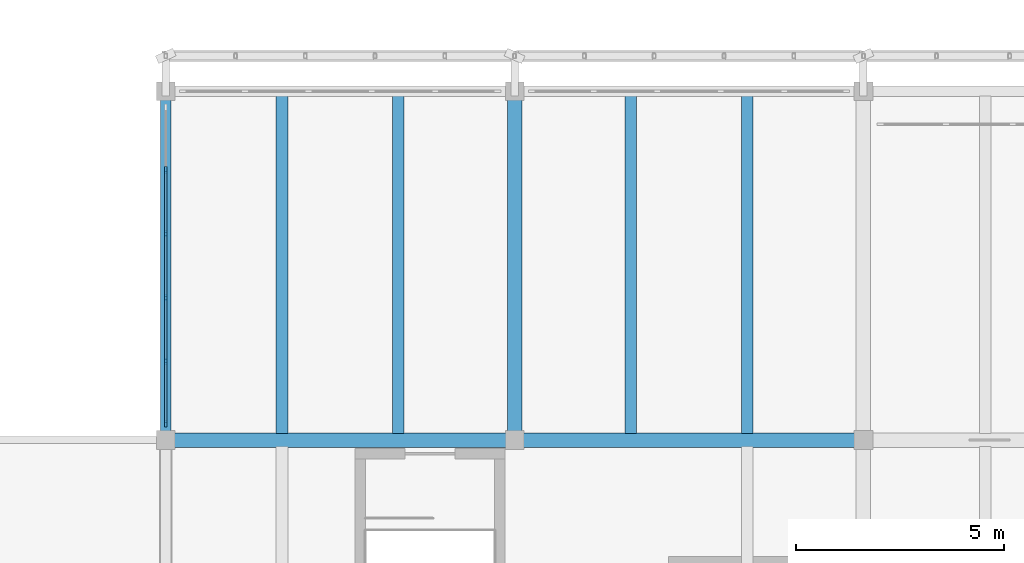
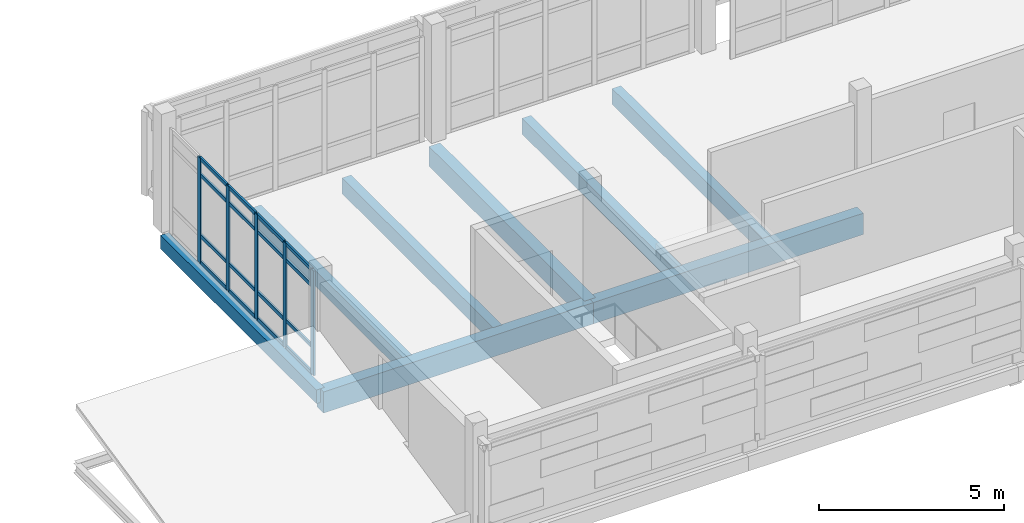
# One storey, part 11 of 117: 21 members, 8 beams, 1 element without a shape of its own.
"""IFC4 building model written with IfcOpenShell, lengths in metres."""

from ifc_helpers import new_model, si_unit, direction, frame, origin, origin_2d, place, context, subcontext, project, spatial, rectangle, extrude, material, material_profile, profile_set, type_object, element, aggregate, save


model = new_model("IFC4")

# Units and contexts
model_context = context("Model", 3, precision=1e-05, world=origin(), true_north=direction((0.0, 1.0)))
body_context = subcontext(model_context, "Body", "Model", "MODEL_VIEW")
ifc_project = project(units=[si_unit("LENGTHUNIT", "METRE"), si_unit("AREAUNIT", "SQUARE_METRE"), si_unit("VOLUMEUNIT", "CUBIC_METRE"), si_unit("PLANEANGLEUNIT", "RADIAN"), si_unit("MASSUNIT", "GRAM", prefix="KILO")], contexts=[model_context])

# Site, building, storey
site_placement = place(None, origin())
site = spatial("IfcSite", under=ifc_project, at=site_placement, CompositionType="ELEMENT")
building_placement = place(site_placement, origin())
building = spatial("IfcBuilding", under=site, at=building_placement, Name="Cinderway Yard Community Centre", CompositionType="ELEMENT")
storey_placement = place(building_placement, frame((0.0, 0.0, 9.0)))
storey = spatial("IfcBuildingStorey", under=building, at=storey_placement, Name="L02", CompositionType="ELEMENT", Elevation=9.0)

# Curtain wall, members
ifc_material_1 = material(Name="Aluminium 6063-T6", Category="aluminium")
curtain_wall_type = type_object("IfcCurtainWallType", Name="ENV-CW-TYPE-31", PredefinedType="USERDEFINED", material=ifc_material_1)
curtain_wall_placement = place(storey_placement, origin())
curtain_wall = element("IfcCurtainWall", 1, at=curtain_wall_placement, inside=storey, type_object=curtain_wall_type, Name="V3 West Curtain Wall ENV-CW-L02-ST-0107", ObjectType="GLAZED CURTAIN WALL", PredefinedType="USERDEFINED")
ifc_material_profile_1 = material_profile(ifc_material_1, rectangle(XDim=0.06005859375, YDim=0.159912109375, at=origin_2d()), Name="Aluminium 6063-T6")
ifc_profile_set_1 = profile_set([ifc_material_profile_1], Name="Aluminium 6063-T6")
member_type_1 = type_object("IfcMemberType", Name="ENV-CW-MULL-150", PredefinedType="MULLION", material=ifc_profile_set_1)
member_1_placement = place(storey_placement, frame((58.39990234375, 14.7900390625, 0.0), z_axis=(0.0, 0.0, 1.0), x_axis=(-1.0, 0.0, 0.0)))
member_1 = element("IfcMember", 2, at=member_1_placement, type_object=member_type_1, Name="CW-31 mullion 1", PredefinedType="MULLION", context=body_context, shape_type="SweptSolid", body=[
    extrude(rectangle(XDim=0.06005859375, YDim=0.159912109375, at=origin_2d()), origin(), (0.0, 0.0, 1.0), 3.449951171875),
])
member_2_placement = place(storey_placement, frame((58.39990234375, 16.2958984375, 0.0), z_axis=(0.0, 0.0, 1.0), x_axis=(-1.0, 0.0, 0.0)))
member_2 = element("IfcMember", 3, at=member_2_placement, type_object=member_type_1, Name="CW-31 mullion 2", PredefinedType="MULLION", context=body_context, shape_type="SweptSolid", body=[
    extrude(rectangle(XDim=0.06005859375, YDim=0.159912109375, at=origin_2d()), origin(), (0.0, 0.0, 1.0), 3.449951171875),
])
member_3_placement = place(storey_placement, frame((58.39990234375, 17.83203125, 0.0), z_axis=(0.0, 0.0, 1.0), x_axis=(-1.0, 0.0, 0.0)))
member_3 = element("IfcMember", 4, at=member_3_placement, type_object=member_type_1, Name="CW-31 mullion 3", PredefinedType="MULLION", context=body_context, shape_type="SweptSolid", body=[
    extrude(rectangle(XDim=0.06005859375, YDim=0.159912109375, at=origin_2d()), origin(), (0.0, 0.0, 1.0), 3.449951171875),
])
member_4_placement = place(storey_placement, frame((58.39990234375, 19.367919921875, 0.0), z_axis=(0.0, 0.0, 1.0), x_axis=(-1.0, 0.0, 0.0)))
member_4 = element("IfcMember", 5, at=member_4_placement, type_object=member_type_1, Name="CW-31 mullion 4", PredefinedType="MULLION", context=body_context, shape_type="SweptSolid", body=[
    extrude(rectangle(XDim=0.06005859375, YDim=0.159912109375, at=origin_2d()), origin(), (0.0, 0.0, 1.0), 3.449951171875),
])
member_5_placement = place(storey_placement, frame((58.39990234375, 20.904052734375, 0.0), z_axis=(0.0, 0.0, 1.0), x_axis=(-1.0, 0.0, 0.0)))
member_5 = element("IfcMember", 6, at=member_5_placement, type_object=member_type_1, Name="CW-31 mullion 5", PredefinedType="MULLION", context=body_context, shape_type="SweptSolid", body=[
    extrude(rectangle(XDim=0.06005859375, YDim=0.159912109375, at=origin_2d()), origin(), (0.0, 0.0, 1.0), 3.449951171875),
])
ifc_material_profile_2 = material_profile(ifc_material_1, rectangle(XDim=0.06005859375, YDim=0.1201171875, at=origin_2d()), Name="Aluminium 6063-T6")
ifc_profile_set_2 = profile_set([ifc_material_profile_2], Name="Aluminium 6063-T6")
member_type_2 = type_object("IfcMemberType", Name="ENV-CW-TRAN-110", PredefinedType="USERDEFINED", material=ifc_profile_set_2)
member_6_placement = place(storey_placement, frame((58.39990234375, 14.820068359375, 0.030029296875), z_axis=(0.0, 1.0, 0.0), x_axis=(-1.0, 0.0, 0.0)))
member_6 = element("IfcMember", 7, at=member_6_placement, type_object=member_type_2, Name="CW-31 transom 1.1", ObjectType="TRANSOM", PredefinedType="USERDEFINED", context=body_context, shape_type="SweptSolid", body=[
    extrude(rectangle(XDim=0.06005859375, YDim=0.1201171875, at=origin_2d()), origin(), (0.0, 0.0, 1.0), 1.446044921875),
])
member_7_placement = place(storey_placement, frame((58.39990234375, 14.820068359375, 0.89990234375), z_axis=(0.0, 1.0, 0.0), x_axis=(-1.0, 0.0, 0.0)))
member_7 = element("IfcMember", 8, at=member_7_placement, type_object=member_type_2, Name="CW-31 transom 1.2", ObjectType="TRANSOM", PredefinedType="USERDEFINED", context=body_context, shape_type="SweptSolid", body=[
    extrude(rectangle(XDim=0.06005859375, YDim=0.1201171875, at=origin_2d()), origin(), (0.0, 0.0, 1.0), 1.446044921875),
])
member_8_placement = place(storey_placement, frame((58.39990234375, 14.820068359375, 2.89990234375), z_axis=(0.0, 1.0, 0.0), x_axis=(-1.0, 0.0, 0.0)))
member_8 = element("IfcMember", 9, at=member_8_placement, type_object=member_type_2, Name="CW-31 transom 1.3", ObjectType="TRANSOM", PredefinedType="USERDEFINED", context=body_context, shape_type="SweptSolid", body=[
    extrude(rectangle(XDim=0.06005859375, YDim=0.1201171875, at=origin_2d()), origin(), (0.0, 0.0, 1.0), 1.446044921875),
])
member_9_placement = place(storey_placement, frame((58.39990234375, 14.820068359375, 3.419921875), z_axis=(0.0, 1.0, 0.0), x_axis=(-1.0, 0.0, 0.0)))
member_9 = element("IfcMember", 10, at=member_9_placement, type_object=member_type_2, Name="CW-31 transom 1.4", ObjectType="TRANSOM", PredefinedType="USERDEFINED", context=body_context, shape_type="SweptSolid", body=[
    extrude(rectangle(XDim=0.06005859375, YDim=0.1201171875, at=origin_2d()), origin(), (0.0, 0.0, 1.0), 1.446044921875),
])
member_10_placement = place(storey_placement, frame((58.39990234375, 16.325927734375, 0.030029296875), z_axis=(0.0, 1.0, 0.0), x_axis=(-1.0, 0.0, 0.0)))
member_10 = element("IfcMember", 11, at=member_10_placement, type_object=member_type_2, Name="CW-31 transom 2.1", ObjectType="TRANSOM", PredefinedType="USERDEFINED", context=body_context, shape_type="SweptSolid", body=[
    extrude(rectangle(XDim=0.06005859375, YDim=0.1201171875, at=origin_2d()), origin(), (0.0, 0.0, 1.0), 1.47607421875),
])
member_11_placement = place(storey_placement, frame((58.39990234375, 16.325927734375, 0.89990234375), z_axis=(0.0, 1.0, 0.0), x_axis=(-1.0, 0.0, 0.0)))
member_11 = element("IfcMember", 12, at=member_11_placement, type_object=member_type_2, Name="CW-31 transom 2.2", ObjectType="TRANSOM", PredefinedType="USERDEFINED", context=body_context, shape_type="SweptSolid", body=[
    extrude(rectangle(XDim=0.06005859375, YDim=0.1201171875, at=origin_2d()), origin(), (0.0, 0.0, 1.0), 1.47607421875),
])
member_12_placement = place(storey_placement, frame((58.39990234375, 16.325927734375, 2.89990234375), z_axis=(0.0, 1.0, 0.0), x_axis=(-1.0, 0.0, 0.0)))
member_12 = element("IfcMember", 13, at=member_12_placement, type_object=member_type_2, Name="CW-31 transom 2.3", ObjectType="TRANSOM", PredefinedType="USERDEFINED", context=body_context, shape_type="SweptSolid", body=[
    extrude(rectangle(XDim=0.06005859375, YDim=0.1201171875, at=origin_2d()), origin(), (0.0, 0.0, 1.0), 1.47607421875),
])
member_13_placement = place(storey_placement, frame((58.39990234375, 16.325927734375, 3.419921875), z_axis=(0.0, 1.0, 0.0), x_axis=(-1.0, 0.0, 0.0)))
member_13 = element("IfcMember", 14, at=member_13_placement, type_object=member_type_2, Name="CW-31 transom 2.4", ObjectType="TRANSOM", PredefinedType="USERDEFINED", context=body_context, shape_type="SweptSolid", body=[
    extrude(rectangle(XDim=0.06005859375, YDim=0.1201171875, at=origin_2d()), origin(), (0.0, 0.0, 1.0), 1.47607421875),
])
member_14_placement = place(storey_placement, frame((58.39990234375, 17.862060546875, 0.030029296875), z_axis=(0.0, 1.0, 0.0), x_axis=(-1.0, 0.0, 0.0)))
member_14 = element("IfcMember", 15, at=member_14_placement, type_object=member_type_2, Name="CW-31 transom 3.1", ObjectType="TRANSOM", PredefinedType="USERDEFINED", context=body_context, shape_type="SweptSolid", body=[
    extrude(rectangle(XDim=0.06005859375, YDim=0.1201171875, at=origin_2d()), origin(), (0.0, 0.0, 1.0), 1.475830078125),
])
member_15_placement = place(storey_placement, frame((58.39990234375, 17.862060546875, 0.89990234375), z_axis=(0.0, 1.0, 0.0), x_axis=(-1.0, 0.0, 0.0)))
member_15 = element("IfcMember", 16, at=member_15_placement, type_object=member_type_2, Name="CW-31 transom 3.2", ObjectType="TRANSOM", PredefinedType="USERDEFINED", context=body_context, shape_type="SweptSolid", body=[
    extrude(rectangle(XDim=0.06005859375, YDim=0.1201171875, at=origin_2d()), origin(), (0.0, 0.0, 1.0), 1.475830078125),
])
member_16_placement = place(storey_placement, frame((58.39990234375, 17.862060546875, 2.89990234375), z_axis=(0.0, 1.0, 0.0), x_axis=(-1.0, 0.0, 0.0)))
member_16 = element("IfcMember", 17, at=member_16_placement, type_object=member_type_2, Name="CW-31 transom 3.3", ObjectType="TRANSOM", PredefinedType="USERDEFINED", context=body_context, shape_type="SweptSolid", body=[
    extrude(rectangle(XDim=0.06005859375, YDim=0.1201171875, at=origin_2d()), origin(), (0.0, 0.0, 1.0), 1.475830078125),
])
member_17_placement = place(storey_placement, frame((58.39990234375, 17.862060546875, 3.419921875), z_axis=(0.0, 1.0, 0.0), x_axis=(-1.0, 0.0, 0.0)))
member_17 = element("IfcMember", 18, at=member_17_placement, type_object=member_type_2, Name="CW-31 transom 3.4", ObjectType="TRANSOM", PredefinedType="USERDEFINED", context=body_context, shape_type="SweptSolid", body=[
    extrude(rectangle(XDim=0.06005859375, YDim=0.1201171875, at=origin_2d()), origin(), (0.0, 0.0, 1.0), 1.475830078125),
])
member_18_placement = place(storey_placement, frame((58.39990234375, 19.39794921875, 0.030029296875), z_axis=(0.0, 1.0, 0.0), x_axis=(-1.0, 0.0, 0.0)))
member_18 = element("IfcMember", 19, at=member_18_placement, type_object=member_type_2, Name="CW-31 transom 4.1", ObjectType="TRANSOM", PredefinedType="USERDEFINED", context=body_context, shape_type="SweptSolid", body=[
    extrude(rectangle(XDim=0.06005859375, YDim=0.1201171875, at=origin_2d()), origin(), (0.0, 0.0, 1.0), 1.47607421875),
])
member_19_placement = place(storey_placement, frame((58.39990234375, 19.39794921875, 0.89990234375), z_axis=(0.0, 1.0, 0.0), x_axis=(-1.0, 0.0, 0.0)))
member_19 = element("IfcMember", 20, at=member_19_placement, type_object=member_type_2, Name="CW-31 transom 4.2", ObjectType="TRANSOM", PredefinedType="USERDEFINED", context=body_context, shape_type="SweptSolid", body=[
    extrude(rectangle(XDim=0.06005859375, YDim=0.1201171875, at=origin_2d()), origin(), (0.0, 0.0, 1.0), 1.47607421875),
])
member_20_placement = place(storey_placement, frame((58.39990234375, 19.39794921875, 2.89990234375), z_axis=(0.0, 1.0, 0.0), x_axis=(-1.0, 0.0, 0.0)))
member_20 = element("IfcMember", 21, at=member_20_placement, type_object=member_type_2, Name="CW-31 transom 4.3", ObjectType="TRANSOM", PredefinedType="USERDEFINED", context=body_context, shape_type="SweptSolid", body=[
    extrude(rectangle(XDim=0.06005859375, YDim=0.1201171875, at=origin_2d()), origin(), (0.0, 0.0, 1.0), 1.47607421875),
])
member_21_placement = place(storey_placement, frame((58.39990234375, 19.39794921875, 3.419921875), z_axis=(0.0, 1.0, 0.0), x_axis=(-1.0, 0.0, 0.0)))
member_21 = element("IfcMember", 22, at=member_21_placement, type_object=member_type_2, Name="CW-31 transom 4.4", ObjectType="TRANSOM", PredefinedType="USERDEFINED", context=body_context, shape_type="SweptSolid", body=[
    extrude(rectangle(XDim=0.06005859375, YDim=0.1201171875, at=origin_2d()), origin(), (0.0, 0.0, 1.0), 1.47607421875),
])
aggregate(curtain_wall, [member_1, member_2, member_3, member_4, member_5, member_6, member_7, member_8, member_9, member_10, member_11, member_12, member_13, member_14, member_15, member_16, member_17, member_18, member_19, member_20, member_21])

# Beams
ifc_material_2 = material(Name="Concrete C40/50", Category="concrete")
ifc_material_profile_3 = material_profile(ifc_material_2, rectangle(XDim=0.25, YDim=0.449951171875, at=origin_2d()), Name="Concrete C40/50")
ifc_profile_set_3 = profile_set([ifc_material_profile_3], Name="Concrete C40/50")
beam_type_1 = type_object("IfcBeamType", Name="STR-BM-RC250X450", PredefinedType="SPANDREL", material=ifc_profile_set_3)
beam_1_placement = place(storey_placement, frame((58.39990234375, 14.39990234375, -0.465087890625), z_axis=(0.0, 1.0, 0.0), x_axis=(-1.0, 0.0, 0.0)))
element("IfcBeam", 23, at=beam_1_placement, inside=storey, type_object=beam_type_1, Name="Transverse girder STR-BM-L02-SP02-0457", PredefinedType="SPANDREL", context=body_context, shape_type="SweptSolid", body=[
    extrude(rectangle(XDim=0.25, YDim=0.449951171875, at=origin_2d()), origin(), (0.0, 0.0, 1.0), 8.400146484375),
])
ifc_material_3 = material(Name="Concrete C35/45", Category="concrete")
ifc_material_profile_4 = material_profile(ifc_material_3, rectangle(XDim=0.280029296875, YDim=0.52001953125, at=origin_2d()), Name="Concrete C35/45")
ifc_profile_set_4 = profile_set([ifc_material_profile_4], Name="Concrete C35/45")
beam_type_2 = type_object("IfcBeamType", Name="STR-BM-RC280X520", PredefinedType="JOIST", material=ifc_profile_set_4)
for number, where, z_axis, x_axis, name in (
    (24, (61.199951171875, 14.556884765625, -0.5), (0.0, 1.0, 0.0), (-1.0, 0.0, 0.0), "Secondary joist STR-BM-L02-BJ04-0472"),
    (25, (64.0, 14.556884765625, -0.5), (0.0, 1.0, 0.0), (-1.0, 0.0, 0.0), "Secondary joist STR-BM-L02-BJ04-0473"),
    (26, (69.60009765625, 14.556884765625, -0.5), (0.0, 1.0, 0.0), (-1.0, 0.0, 0.0), "Secondary joist STR-BM-L02-BJ04-0475"),
    (27, (72.39990234375, 14.556884765625, -0.5), (0.0, 1.0, 0.0), (-1.0, 0.0, 0.0), "Secondary joist STR-BM-L02-BJ04-0476"),
):
    element("IfcBeam", number, at=place(storey_placement, frame(where, z_axis=z_axis, x_axis=x_axis)), inside=storey, type_object=beam_type_2, Name=name, PredefinedType="JOIST", context=body_context, shape_type="SweptSolid", body=[
        extrude(rectangle(XDim=0.280029296875, YDim=0.52001953125, at=origin_2d()), origin(), (0.0, 0.0, 1.0), 8.131103515625),
    ])
ifc_material_profile_5 = material_profile(ifc_material_3, rectangle(XDim=0.35009765625, YDim=0.64990234375, at=origin_2d()), Name="Concrete C35/45")
ifc_profile_set_5 = profile_set([ifc_material_profile_5], Name="Concrete C35/45")
beam_type_3 = type_object("IfcBeamType", Name="STR-BM-RC350X650", PredefinedType="BEAM", material=ifc_profile_set_5)
beam_2_placement = place(storey_placement, frame((66.800048828125, 14.39990234375, -0.56494140625), z_axis=(0.0, 1.0, 0.0), x_axis=(-1.0, 0.0, 0.0)))
element("IfcBeam", 28, at=beam_2_placement, inside=storey, type_object=beam_type_3, Name="Transverse girder STR-BM-L02-BG08-0458", PredefinedType="BEAM", context=body_context, shape_type="SweptSolid", body=[
    extrude(rectangle(XDim=0.35009765625, YDim=0.64990234375, at=origin_2d()), origin(), (0.0, 0.0, 1.0), 8.400146484375),
])
ifc_material_profile_6 = material_profile(ifc_material_3, rectangle(XDim=0.35009765625, YDim=0.699951171875, at=origin_2d()), Name="Concrete C35/45")
ifc_profile_set_6 = profile_set([ifc_material_profile_6], Name="Concrete C35/45")
beam_type_4 = type_object("IfcBeamType", Name="STR-BM-RC350X700", PredefinedType="BEAM", material=ifc_profile_set_6)
beam_3_placement = place(storey_placement, frame((58.39990234375, 14.39990234375, -0.590087890625), z_axis=(1.0, 0.0, 0.0), x_axis=(0.0, 1.0, 0.0)))
element("IfcBeam", 29, at=beam_3_placement, inside=storey, type_object=beam_type_4, Name="Primary girder STR-BM-L02-BG07-0442", PredefinedType="BEAM", context=body_context, shape_type="SweptSolid", body=[
    extrude(rectangle(XDim=0.35009765625, YDim=0.699951171875, at=origin_2d()), origin(), (0.0, 0.0, 1.0), 8.400146484375),
])
beam_4_placement = place(storey_placement, frame((66.800048828125, 14.39990234375, -0.590087890625), z_axis=(1.0, 0.0, 0.0), x_axis=(0.0, 1.0, 0.0)))
element("IfcBeam", 30, at=beam_4_placement, inside=storey, type_object=beam_type_4, Name="Primary girder STR-BM-L02-BG07-0443", PredefinedType="BEAM", context=body_context, shape_type="SweptSolid", body=[
    extrude(rectangle(XDim=0.35009765625, YDim=0.699951171875, at=origin_2d()), origin(), (0.0, 0.0, 1.0), 8.39990234375),
])

save(model, "model.ifc")
